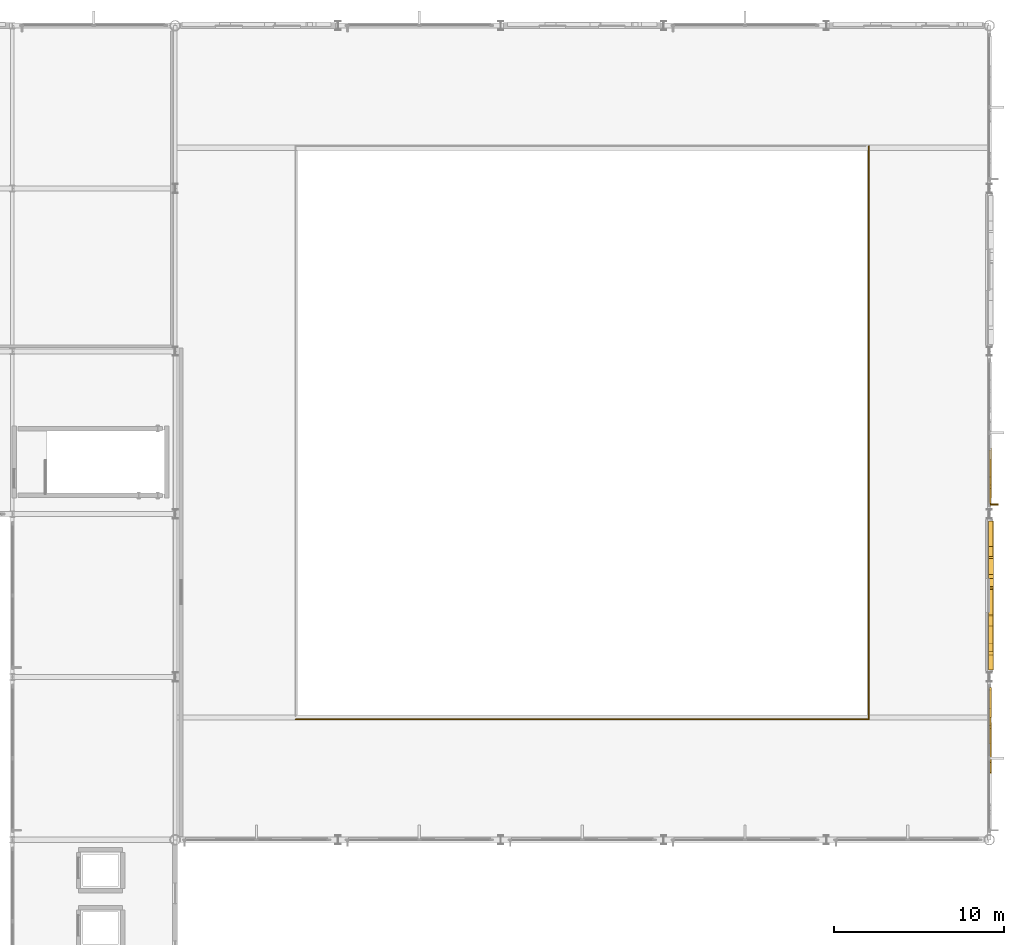
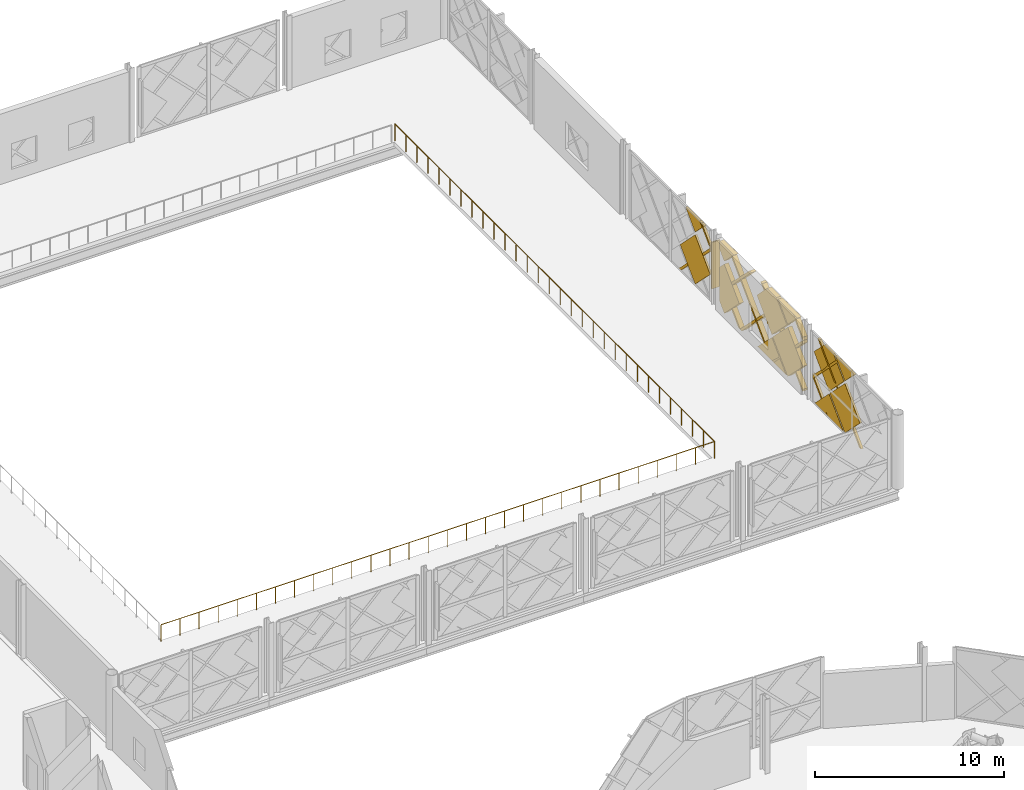
# One storey, part 75 of 77: 24 coverings, 1 railing, 1 shading device.
"""IFC4 building model written with IfcOpenShell, lengths in metres."""

from ifc_helpers import new_model, si_unit, direction, frame, origin, origin_2d, place, context, subcontext, project, spatial, polyline, rectangle, circle, outline, extrude, material, layer, layer_set, type_object, element, save


model = new_model("IFC4")

# Units and contexts
model_context = context("Model", 3, precision=1e-05, world=origin(), true_north=direction((0.0, 1.0)))
body_context = subcontext(model_context, "Body", "Model", "MODEL_VIEW")
ifc_project = project(units=[si_unit("LENGTHUNIT", "METRE"), si_unit("AREAUNIT", "SQUARE_METRE"), si_unit("VOLUMEUNIT", "CUBIC_METRE"), si_unit("PLANEANGLEUNIT", "RADIAN"), si_unit("MASSUNIT", "GRAM", prefix="KILO")], contexts=[model_context])

# Site, building, storey
site_placement = place(None, origin())
site = spatial("IfcSite", under=ifc_project, at=site_placement, CompositionType="ELEMENT")
building_placement = place(site_placement, origin())
building = spatial("IfcBuilding", under=site, at=building_placement, Name="Zevrakil Square Congress Hotel", CompositionType="ELEMENT")
storey_placement = place(building_placement, frame((0.0, 0.0, 9.89990234375)))
storey = spatial("IfcBuildingStorey", under=building, at=storey_placement, Name="L03", CompositionType="ELEMENT", Elevation=9.89990234375)

# Coverings
ifc_material_1 = material(Name="Architectural White Fibre-C GRC", Category="concrete")
ifc_layer_1 = layer(ifc_material_1, 0.06494140625)
ifc_layer_set_1 = layer_set([ifc_layer_1], Name="Architectural White Fibre-C GRC")
covering_type_1 = type_object("IfcCoveringType", Name="COV-DIA-WHITE", PredefinedType="CLADDING", material=ifc_layer_set_1)
covering_1_placement = place(storey_placement, frame((165.694091796875, 72.0400390625, 1.590087890625), z_axis=(0.999999790873, 0.0, 0.000646725815), x_axis=(0.000457304257, 0.707106707249, -0.707106707249)))
element("IfcCovering", 1, at=covering_1_placement, inside=storey, type_object=covering_type_1, Name="L03 45-degree white GRC diamond facade cassette 895", PredefinedType="CLADDING", context=body_context, shape_type="SweptSolid", body=[
    extrude(outline(polyline([(0.0, 0.0), (2.1354765131557993, 0.0), (4.465861884739297e-07, -2.1354765131557527), (0.0, 0.0)])), origin(), (0.0, 0.0, -1.0), 0.1201171875),
])
covering_2_placement = place(storey_placement, frame((165.693115234375, 70.360107421875, 3.27001953125), z_axis=(0.999999855586, 0.0, 0.000537427945), x_axis=(0.00038001898, 0.707106715531, -0.707106744725)))
element("IfcCovering", 2, at=covering_2_placement, inside=storey, type_object=covering_type_1, Name="L03 45-degree white GRC diamond facade cassette 896", PredefinedType="CLADDING", context=body_context, shape_type="SweptSolid", body=[
    extrude(outline(polyline([(0.0, 0.0), (2.2483788020672284, 0.0), (2.248551760297992, -2.2485513427396766), (-0.00017221594923522154, -2.2485514355747194), (0.0, 0.0)])), origin(), (0.0, 0.0, -1.0), 0.1201171875),
])
covering_3_placement = place(storey_placement, frame((165.693115234375, 73.6298828125, 3.360107421875), z_axis=(0.99999984427, 0.0, 0.000558085713), x_axis=(0.000394656509, -0.707052454844, -0.707160993229)))
element("IfcCovering", 3, at=covering_3_placement, inside=storey, type_object=covering_type_1, Name="L03 45-degree white GRC diamond facade cassette 898", PredefinedType="CLADDING", context=body_context, shape_type="SweptSolid", body=[
    extrude(outline(polyline([(0.0, 0.0), (2.248551347367504, 0.0), (2.24837847274146, -2.2487239675782313), (0.692605284023527, -2.2486046114861047), (-0.00029231210577995714, -1.5556005419383874), (0.0, 0.0)])), origin(), (0.0, 0.0, -1.0), 0.1201171875),
])
covering_4_placement = place(storey_placement, frame((165.69287109375, 70.360107421875, 3.4501953125), z_axis=(0.999999883142, 0.0, 0.000483442051), x_axis=(-0.000341845173, -0.707106739871, 0.707106739871)))
element("IfcCovering", 4, at=covering_4_placement, inside=storey, type_object=covering_type_1, Name="L03 45-degree white GRC diamond facade cassette 899", PredefinedType="CLADDING", context=body_context, shape_type="SweptSolid", body=[
    extrude(outline(polyline([(0.0, 0.0), (1.4283695921344428, 0.0), (1.6691658821788025e-07, -1.4283695921344328), (0.0, 0.0)])), origin(), (0.0, 0.0, -1.0), 0.1201171875),
])
covering_5_placement = place(storey_placement, frame((165.8291015625, 78.06005859375, 1.590087890625), z_axis=(0.999999790873, 0.0, 0.000646725815), x_axis=(0.000457304257, 0.707106707249, -0.707106707249)))
element("IfcCovering", 5, at=covering_5_placement, inside=storey, type_object=covering_type_1, Name="L03 45-degree white GRC diamond facade cassette 927", PredefinedType="CLADDING", context=body_context, shape_type="SweptSolid", body=[
    extrude(outline(polyline([(0.0, 0.0), (2.1354765131557993, 0.0), (4.465861884739297e-07, -2.1354765131557527), (0.0, 0.0)])), origin(), (0.0, 0.0, -1.0), 0.27001953125),
])
covering_6_placement = place(storey_placement, frame((165.827880859375, 76.3798828125, 3.27001953125), z_axis=(0.999999812555, 4.83356e-07, 0.000612282237), x_axis=(0.000432573931, 0.707160967572, -0.707052458325)))
element("IfcCovering", 6, at=covering_6_placement, inside=storey, type_object=covering_type_1, Name="L03 45-degree white GRC diamond facade cassette 928", PredefinedType="CLADDING", context=body_context, shape_type="SweptSolid", body=[
    extrude(outline(polyline([(0.0, 0.0), (2.2485515510922585, 2.220446049250313e-16), (2.2483793286792206, -2.248723959955051), (0.013983960233167725, -2.2483799880880655), (-0.00017089855165197676, -2.234222959656834), (0.0, 0.0)])), origin(), (0.0, 0.0, -1.0), 0.27001953125),
])
covering_7_placement = place(storey_placement, frame((165.829833984375, 83.10009765625, 0.090087890625), z_axis=(0.999999815916, 1.5809711e-05, 0.000606562844), x_axis=(-0.000417725569, -0.707106748129, 0.707106690858)))
element("IfcCovering", 7, at=covering_7_placement, inside=storey, type_object=covering_type_1, Name="L03 45-degree white GRC diamond facade cassette 929", PredefinedType="CLADDING", context=body_context, shape_type="SweptSolid", body=[
    extrude(outline(polyline([(0.0, 0.0), (2.248723970043293, 2.220446049250313e-16), (2.2485517554272336, -2.2485515462893146), (1.5414448319663019, -2.2485514327597276), (7.334840868011838e-08, -0.7071068201548574), (0.0, 0.0)])), origin(), (0.0, 0.0, -1.0), 0.27001953125),
])
covering_8_placement = place(storey_placement, frame((165.827880859375, 79.64990234375, 3.360107421875), z_axis=(0.999999857823, 0.0, 0.000533248084), x_axis=(0.00037709232, -0.707052425148, -0.707161032505)))
element("IfcCovering", 8, at=covering_8_placement, inside=storey, type_object=covering_type_1, Name="L03 45-degree white GRC diamond facade cassette 930", PredefinedType="CLADDING", context=body_context, shape_type="SweptSolid", body=[
    extrude(outline(polyline([(0.0, 0.0), (2.24855144180638, 4.440892098500626e-16), (2.2483783783098494, -2.2487240619953295), (0.6926052839813287, -2.2486045462010775), (-0.00029228304636674807, -1.5556004475562208), (0.0, 0.0)])), origin(), (0.0, 0.0, -1.0), 0.27001953125),
])
covering_9_placement = place(storey_placement, frame((165.827880859375, 76.3798828125, 3.4501953125), z_axis=(0.999999883142, 0.0, 0.000483442051), x_axis=(-0.000341886491, -0.707021263073, 0.707192206318)))
element("IfcCovering", 9, at=covering_9_placement, inside=storey, type_object=covering_type_1, Name="L03 45-degree white GRC diamond facade cassette 931", PredefinedType="CLADDING", context=body_context, shape_type="SweptSolid", body=[
    extrude(outline(polyline([(0.0, 0.0), (1.428196969086578, -2.220446049250313e-16), (0.0001728212840086396, -1.4283695816794468), (0.0, 0.0)])), origin(), (0.0, 0.0, -1.0), 0.27001953125),
])
covering_10_placement = place(storey_placement, frame((165.827880859375, 83.10009765625, 3.4501953125), z_axis=(0.999999883469, 1.372816e-06, 0.000482762446), x_axis=(-0.000340393892, -0.70710673987, 0.707106740572)))
element("IfcCovering", 10, at=covering_10_placement, inside=storey, type_object=covering_type_1, Name="L03 45-degree white GRC diamond facade cassette 932", PredefinedType="CLADDING", context=body_context, shape_type="SweptSolid", body=[
    extrude(outline(polyline([(0.0, 0.0), (1.4283695921329382, 1.1102230246251565e-16), (0.3606315095904147, -1.067738207318154), (8.3455285626588e-08, -0.7071068233303512), (0.0, 0.0)])), origin(), (0.0, 0.0, -1.0), 0.27001953125),
])
covering_11_placement = place(storey_placement, frame((165.693115234375, 86.199951171875, 3.27001953125), z_axis=(0.999999856488, 2.41678e-07, 0.000535746981), x_axis=(0.000378630367, 0.70716100192, -0.707052454916)))
element("IfcCovering", 11, at=covering_11_placement, inside=storey, type_object=covering_type_1, Name="L03 45-degree white GRC diamond facade cassette 961", PredefinedType="CLADDING", context=body_context, shape_type="SweptSolid", body=[
    extrude(outline(polyline([(0.0, 0.0), (2.2485514420015917, 0.0), (2.2483791200415766, -2.248723969767764), (0.013983742226420182, -2.248379879845779), (-0.00017111649015499886, -2.2342228501026002), (0.0, 0.0)])), origin(), (0.0, 0.0, -1.0), 0.1201171875),
])
covering_12_placement = place(storey_placement, frame((165.69287109375, 86.199951171875, 3.4501953125), z_axis=(0.999999883142, 0.0, 0.000483442051), x_axis=(-0.000341845173, -0.707106739871, 0.707106739871)))
element("IfcCovering", 12, at=covering_12_placement, inside=storey, type_object=covering_type_1, Name="L03 45-degree white GRC diamond facade cassette 964", PredefinedType="CLADDING", context=body_context, shape_type="SweptSolid", body=[
    extrude(outline(polyline([(0.0, 0.0), (1.4283695921344428, 0.0), (1.6691658821788025e-07, -1.4283695921344328), (0.0, 0.0)])), origin(), (0.0, 0.0, -1.0), 0.1201171875),
])
ifc_material_2 = material(Name="Anodised Champagne Aluminium", Category="aluminium")
ifc_layer_2 = layer(ifc_material_2, 0.0849609375)
ifc_layer_set_2 = layer_set([ifc_layer_2], Name="Anodised Champagne Aluminium")
covering_type_2 = type_object("IfcCoveringType", Name="COV-DIAGRID-45", PredefinedType="MOLDING", material=ifc_layer_set_2)
covering_13_placement = place(storey_placement, frame((165.719970703125, 68.8662109375, 0.080078125), z_axis=(0.999999812042, 0.0, 0.00061312067), x_axis=(0.0, -1.0, 0.0)))
element("IfcCovering", 13, at=covering_13_placement, inside=storey, type_object=covering_type_2, Name="L03 45-degree aluminium diagrid rib 902", PredefinedType="MOLDING", context=body_context, shape_type="SweptSolid", body=[
    extrude(outline(polyline([(0.0, 0.0), (0.21240234375, 0.0), (-4.167724609375, -4.380127776407226), (-4.3798828125, -4.380127776407226), (0.0, 0.0)])), origin(), (0.0, 0.0, -1.0), 0.14501953125),
])
covering_14_placement = place(storey_placement, frame((165.719970703125, 72.22607421875, 0.080078125), z_axis=(0.999999913482, 0.000294139249, 0.000294139249), x_axis=(0.000294139237, -0.999999956741, 8.6518e-08)))
element("IfcCovering", 14, at=covering_14_placement, inside=storey, type_object=covering_type_2, Name="L03 45-degree aluminium diagrid rib 903", PredefinedType="MOLDING", context=body_context, shape_type="SweptSolid", body=[
    extrude(outline(polyline([(0.0, 0.0), (0.2121581939472589, 0.0), (-1.553955145347468, -1.7661134920951609), (-1.5539551637029505, -1.5539552981479028), (0.0, 0.0)])), origin(), (0.0, 0.0, -1.0), 0.14501953125),
])
covering_15_placement = place(storey_placement, frame((165.71728515625, 70.833984375, 4.460205078125), z_axis=(0.999999909474, -0.000301047678, 0.000300701646), x_axis=(0.000301047664, 0.999999954685, 9.0526e-08)))
element("IfcCovering", 15, at=covering_15_placement, inside=storey, type_object=covering_type_2, Name="L03 45-degree aluminium diagrid rib 906", PredefinedType="MOLDING", context=body_context, shape_type="SweptSolid", body=[
    extrude(outline(polyline([(0.0, 0.0), (0.21215819351108217, 0.0), (2.9460450553746, -2.7338871090433825), (2.9460450361467636, -2.9462894431905147), (0.0, 0.0)])), origin(), (0.0, 0.0, -1.0), 0.14501953125),
])
covering_16_placement = place(storey_placement, frame((165.85302734375, 74.800048828125, 3.35400390625), z_axis=(0.999999575856, -0.000270268333, 0.000880479165), x_axis=(-0.000880479217, -7.3045e-08, 0.999999612378)))
element("IfcCovering", 16, at=covering_16_placement, inside=storey, type_object=covering_type_2, Name="L03 45-degree aluminium diagrid rib 933", PredefinedType="MOLDING", context=body_context, shape_type="SweptSolid", body=[
    extrude(outline(polyline([(0.0, 0.0), (0.21215833584857974, 0.0), (1.1062013226819656, -0.8937989415711564), (1.1062013071848853, -1.1059571369476104), (0.0, 0.0)])), origin(), (0.0, 0.0, -1.0), 0.294921875),
])
covering_17_placement = place(storey_placement, frame((165.85498046875, 74.885986328125, 0.080078125), z_axis=(0.999999888701, 0.000183960933, 0.000434460926), x_axis=(0.000183960915, -0.999999983079, 7.9924e-08)))
element("IfcCovering", 17, at=covering_17_placement, inside=storey, type_object=covering_type_2, Name="L03 45-degree aluminium diagrid rib 934", PredefinedType="MOLDING", context=body_context, shape_type="SweptSolid", body=[
    extrude(outline(polyline([(0.0, 0.0), (0.08593749854586766, 1.137373342260413e-24), (0.08593750863391077, -0.12622069121252277), (-4.167968823433683, -4.380127706501899), (-4.380127022968794, -4.380127706501899), (0.0, 0.0)])), origin(), (0.0, 0.0, -1.0), 0.294921875),
])
covering_18_placement = place(storey_placement, frame((165.85498046875, 78.24609375, 0.080078125), z_axis=(0.999999812042, 0.0, 0.00061312067), x_axis=(0.0, -1.0, 0.0)))
element("IfcCovering", 18, at=covering_18_placement, inside=storey, type_object=covering_type_2, Name="L03 45-degree aluminium diagrid rib 935", PredefinedType="MOLDING", context=body_context, shape_type="SweptSolid", body=[
    extrude(outline(polyline([(0.0, 0.0), (0.212158203125, 0.0), (-4.167724609375, -4.380127776407226), (-4.380126953125, -4.380127776407226), (0.0, 0.0)])), origin(), (0.0, 0.0, -1.0), 0.294921875),
])
covering_19_placement = place(storey_placement, frame((165.85498046875, 81.606201171875, 0.080078125), z_axis=(0.999999566894, -0.000255507765, 0.000894945697), x_axis=(-0.000255507663, -0.999999967358, -2.28666e-07)))
element("IfcCovering", 19, at=covering_19_placement, inside=storey, type_object=covering_type_2, Name="L03 45-degree aluminium diagrid rib 936", PredefinedType="MOLDING", context=body_context, shape_type="SweptSolid", body=[
    extrude(outline(polyline([(0.0, 0.0), (0.2124023368167394, 0.0), (-1.9938965494599896, -2.2060551150101544), (-1.9938965633265109, -1.9938967783542696), (0.0, 0.0)])), origin(), (0.0, 0.0, -1.0), 0.294921875),
])
covering_20_placement = place(storey_placement, frame((165.85302734375, 74.800048828125, 3.154052734375), z_axis=(0.999999905692, -0.000306919207, 0.000307272394), x_axis=(-0.00030727238, 9.4308e-08, 0.999999952792)))
element("IfcCovering", 20, at=covering_20_placement, inside=storey, type_object=covering_type_2, Name="L03 45-degree aluminium diagrid rib 937", PredefinedType="MOLDING", context=body_context, shape_type="SweptSolid", body=[
    extrude(outline(polyline([(0.0, 0.0), (0.21215819310940093, 2.8078904387053947e-24), (-3.0739747544917018, -3.286133257175718), (-3.0739747745229002, -3.073730923429806), (0.0, 0.0)])), origin(), (0.0, 0.0, -1.0), 0.294921875),
])
covering_21_placement = place(storey_placement, frame((165.852294921875, 76.85400390625, 4.460205078125), z_axis=(0.999999812042, 0.0, 0.00061312067), x_axis=(0.0, 1.0, 0.0)))
element("IfcCovering", 21, at=covering_21_placement, inside=storey, type_object=covering_type_2, Name="L03 45-degree aluminium diagrid rib 938", PredefinedType="MOLDING", context=body_context, shape_type="SweptSolid", body=[
    extrude(outline(polyline([(0.0, 0.0), (0.212158203125, 0.0), (4.592041015625, -4.380127776407226), (4.3798828125, -4.380127776407226), (0.0, 0.0)])), origin(), (0.0, 0.0, -1.0), 0.294921875),
])
covering_22_placement = place(storey_placement, frame((165.852294921875, 80.2138671875, 4.460205078125), z_axis=(0.999999568883, 0.000259047731, 0.00089169976), x_axis=(-0.000259047628, 0.999999966447, -2.30993e-07)))
element("IfcCovering", 22, at=covering_22_placement, inside=storey, type_object=covering_type_2, Name="L03 45-degree aluminium diagrid rib 939", PredefinedType="MOLDING", context=body_context, shape_type="SweptSolid", body=[
    extrude(outline(polyline([(0.0, 0.0), (0.21215819600648467, 0.0), (3.3862305823677334, -3.1740727453282176), (3.386230568130703, -3.386231081806826), (0.0, 0.0)])), origin(), (0.0, 0.0, -1.0), 0.294921875),
])
covering_23_placement = place(storey_placement, frame((165.718017578125, 84.6201171875, 3.35400390625), z_axis=(0.99999986589, 0.000366210888, 0.000366210888), x_axis=(-0.000366210864, -1.3411e-07, 0.999999932945)))
element("IfcCovering", 23, at=covering_23_placement, inside=storey, type_object=covering_type_2, Name="L03 45-degree aluminium diagrid rib 966", PredefinedType="MOLDING", context=body_context, shape_type="SweptSolid", body=[
    extrude(outline(polyline([(0.0, 0.0), (0.21215818889868723, 0.0), (1.1062012460515567, -0.8937990364120078), (1.10620121759893, -1.105957225310693), (0.0, 0.0)])), origin(), (0.0, 0.0, -1.0), 0.14501953125),
])
covering_24_placement = place(storey_placement, frame((165.718017578125, 84.6201171875, 3.154052734375), z_axis=(0.999999905689, -0.000307101698, 0.000307101698), x_axis=(-0.000307101684, 9.4311e-08, 0.999999952844)))
element("IfcCovering", 24, at=covering_24_placement, inside=storey, type_object=covering_type_2, Name="L03 45-degree aluminium diagrid rib 970", PredefinedType="MOLDING", context=body_context, shape_type="SweptSolid", body=[
    extrude(outline(polyline([(0.0, 0.0), (0.21215819312052556, 2.8078904387053947e-24), (-3.073974754330517, -3.285889116734547), (-3.073974774339466, -3.0737309236140224), (0.0, 0.0)])), origin(), (0.0, 0.0, -1.0), 0.14501953125),
])

# Railing
ifc_material_3 = material(Name="Steel S355", Category="steel")
railing_type = type_object("IfcRailingType", Name="RLG-TERR-1100", PredefinedType="BALUSTRADE", material=ifc_material_3)
railing_placement = place(storey_placement, frame((124.699951171875, 71.89990234375, 0.0)))
element("IfcRailing", 25, at=railing_placement, inside=storey, type_object=railing_type, Name="L03 terrace and void safety balustrade guard 43", PredefinedType="BALUSTRADE", context=body_context, shape_type="SweptSolid", body=[
    extrude(circle(Radius=0.02392578125, at=origin_2d()), frame((0.0, 0.0, 1.076171875), z_axis=(1.0, 0.0, 0.0), x_axis=(0.0, 1.0, 0.0)), (0.0, 0.0, 1.0), 33.800048828125),
    extrude(circle(Radius=0.02392578125, at=origin_2d()), frame((33.800048828125, 0.0, 1.076171875), z_axis=(0.0, 1.0, 0.0), x_axis=(-1.0, 0.0, 0.0)), (0.0, 0.0, 1.0), 33.800048828125),
    extrude(circle(Radius=0.02099609375, at=origin_2d()), origin(), (0.0, 0.0, 1.0), 1.052001953125),
    extrude(circle(Radius=0.02099609375, at=origin_2d()), frame((1.16552734375, 0.0, 0.0)), (0.0, 0.0, 1.0), 1.052001953125),
    extrude(circle(Radius=0.02099609375, at=origin_2d()), frame((2.3310546875, 0.0, 0.0)), (0.0, 0.0, 1.0), 1.052001953125),
    extrude(circle(Radius=0.02099609375, at=origin_2d()), frame((3.49658203125, 0.0, 0.0)), (0.0, 0.0, 1.0), 1.052001953125),
    extrude(circle(Radius=0.02099609375, at=origin_2d()), frame((4.662109375, 0.0, 0.0)), (0.0, 0.0, 1.0), 1.052001953125),
    extrude(circle(Radius=0.02099609375, at=origin_2d()), frame((5.82763671875, 0.0, 0.0)), (0.0, 0.0, 1.0), 1.052001953125),
    extrude(circle(Radius=0.02099609375, at=origin_2d()), frame((6.9931640625, 0.0, 0.0)), (0.0, 0.0, 1.0), 1.052001953125),
    extrude(circle(Radius=0.02099609375, at=origin_2d()), frame((8.15869140625, 0.0, 0.0)), (0.0, 0.0, 1.0), 1.052001953125),
    extrude(circle(Radius=0.02099609375, at=origin_2d()), frame((9.32421875, 0.0, 0.0)), (0.0, 0.0, 1.0), 1.052001953125),
    extrude(circle(Radius=0.02099609375, at=origin_2d()), frame((10.48974609375, 0.0, 0.0)), (0.0, 0.0, 1.0), 1.052001953125),
    extrude(circle(Radius=0.02099609375, at=origin_2d()), frame((11.6552734375, 0.0, 0.0)), (0.0, 0.0, 1.0), 1.052001953125),
    extrude(circle(Radius=0.02099609375, at=origin_2d()), frame((12.82080078125, 0.0, 0.0)), (0.0, 0.0, 1.0), 1.052001953125),
    extrude(circle(Radius=0.02099609375, at=origin_2d()), frame((13.986328125, 0.0, 0.0)), (0.0, 0.0, 1.0), 1.052001953125),
    extrude(circle(Radius=0.02099609375, at=origin_2d()), frame((15.15185546875, 0.0, 0.0)), (0.0, 0.0, 1.0), 1.052001953125),
    extrude(circle(Radius=0.02099609375, at=origin_2d()), frame((16.3173828125, 0.0, 0.0)), (0.0, 0.0, 1.0), 1.052001953125),
    extrude(circle(Radius=0.02099609375, at=origin_2d()), frame((17.482666015625, 0.0, 0.0)), (0.0, 0.0, 1.0), 1.052001953125),
    extrude(circle(Radius=0.02099609375, at=origin_2d()), frame((18.648193359375, 0.0, 0.0)), (0.0, 0.0, 1.0), 1.052001953125),
    extrude(circle(Radius=0.02099609375, at=origin_2d()), frame((19.813720703125, 0.0, 0.0)), (0.0, 0.0, 1.0), 1.052001953125),
    extrude(circle(Radius=0.02099609375, at=origin_2d()), frame((20.979248046875, 0.0, 0.0)), (0.0, 0.0, 1.0), 1.052001953125),
    extrude(circle(Radius=0.02099609375, at=origin_2d()), frame((22.144775390625, 0.0, 0.0)), (0.0, 0.0, 1.0), 1.052001953125),
    extrude(circle(Radius=0.02099609375, at=origin_2d()), frame((23.310302734375, 0.0, 0.0)), (0.0, 0.0, 1.0), 1.052001953125),
    extrude(circle(Radius=0.02099609375, at=origin_2d()), frame((24.475830078125, 0.0, 0.0)), (0.0, 0.0, 1.0), 1.052001953125),
    extrude(circle(Radius=0.02099609375, at=origin_2d()), frame((25.641357421875, 0.0, 0.0)), (0.0, 0.0, 1.0), 1.052001953125),
    extrude(circle(Radius=0.02099609375, at=origin_2d()), frame((26.806884765625, 0.0, 0.0)), (0.0, 0.0, 1.0), 1.052001953125),
    extrude(circle(Radius=0.02099609375, at=origin_2d()), frame((27.972412109375, 0.0, 0.0)), (0.0, 0.0, 1.0), 1.052001953125),
    extrude(circle(Radius=0.02099609375, at=origin_2d()), frame((29.137939453125, 0.0, 0.0)), (0.0, 0.0, 1.0), 1.052001953125),
    extrude(circle(Radius=0.02099609375, at=origin_2d()), frame((30.303466796875, 0.0, 0.0)), (0.0, 0.0, 1.0), 1.052001953125),
    extrude(circle(Radius=0.02099609375, at=origin_2d()), frame((31.468994140625, 0.0, 0.0)), (0.0, 0.0, 1.0), 1.052001953125),
    extrude(circle(Radius=0.02099609375, at=origin_2d()), frame((32.634521484375, 0.0, 0.0)), (0.0, 0.0, 1.0), 1.052001953125),
    extrude(circle(Radius=0.02099609375, at=origin_2d()), frame((33.800048828125, 0.0, 0.0)), (0.0, 0.0, 1.0), 1.052001953125),
    extrude(circle(Radius=0.02099609375, at=origin_2d()), frame((33.800048828125, 1.16552734375, 0.0)), (0.0, 0.0, 1.0), 1.052001953125),
    extrude(circle(Radius=0.02099609375, at=origin_2d()), frame((33.800048828125, 2.3310546875, 0.0)), (0.0, 0.0, 1.0), 1.052001953125),
    extrude(circle(Radius=0.02099609375, at=origin_2d()), frame((33.800048828125, 3.49658203125, 0.0)), (0.0, 0.0, 1.0), 1.052001953125),
    extrude(circle(Radius=0.02099609375, at=origin_2d()), frame((33.800048828125, 4.662109375, 0.0)), (0.0, 0.0, 1.0), 1.052001953125),
    extrude(circle(Radius=0.02099609375, at=origin_2d()), frame((33.800048828125, 5.82763671875, 0.0)), (0.0, 0.0, 1.0), 1.052001953125),
    extrude(circle(Radius=0.02099609375, at=origin_2d()), frame((33.800048828125, 6.9931640625, 0.0)), (0.0, 0.0, 1.0), 1.052001953125),
    extrude(circle(Radius=0.02099609375, at=origin_2d()), frame((33.800048828125, 8.15869140625, 0.0)), (0.0, 0.0, 1.0), 1.052001953125),
    extrude(circle(Radius=0.02099609375, at=origin_2d()), frame((33.800048828125, 9.32421875, 0.0)), (0.0, 0.0, 1.0), 1.052001953125),
    extrude(circle(Radius=0.02099609375, at=origin_2d()), frame((33.800048828125, 10.48974609375, 0.0)), (0.0, 0.0, 1.0), 1.052001953125),
    extrude(circle(Radius=0.02099609375, at=origin_2d()), frame((33.800048828125, 11.6552734375, 0.0)), (0.0, 0.0, 1.0), 1.052001953125),
    extrude(circle(Radius=0.02099609375, at=origin_2d()), frame((33.800048828125, 12.82080078125, 0.0)), (0.0, 0.0, 1.0), 1.052001953125),
    extrude(circle(Radius=0.02099609375, at=origin_2d()), frame((33.800048828125, 13.986328125, 0.0)), (0.0, 0.0, 1.0), 1.052001953125),
    extrude(circle(Radius=0.02099609375, at=origin_2d()), frame((33.800048828125, 15.15185546875, 0.0)), (0.0, 0.0, 1.0), 1.052001953125),
    extrude(circle(Radius=0.02099609375, at=origin_2d()), frame((33.800048828125, 16.3173828125, 0.0)), (0.0, 0.0, 1.0), 1.052001953125),
    extrude(circle(Radius=0.02099609375, at=origin_2d()), frame((33.800048828125, 17.482666015625, 0.0)), (0.0, 0.0, 1.0), 1.052001953125),
    extrude(circle(Radius=0.02099609375, at=origin_2d()), frame((33.800048828125, 18.648193359375, 0.0)), (0.0, 0.0, 1.0), 1.052001953125),
    extrude(circle(Radius=0.02099609375, at=origin_2d()), frame((33.800048828125, 19.813720703125, 0.0)), (0.0, 0.0, 1.0), 1.052001953125),
    extrude(circle(Radius=0.02099609375, at=origin_2d()), frame((33.800048828125, 20.979248046875, 0.0)), (0.0, 0.0, 1.0), 1.052001953125),
    extrude(circle(Radius=0.02099609375, at=origin_2d()), frame((33.800048828125, 22.144775390625, 0.0)), (0.0, 0.0, 1.0), 1.052001953125),
    extrude(circle(Radius=0.02099609375, at=origin_2d()), frame((33.800048828125, 23.310302734375, 0.0)), (0.0, 0.0, 1.0), 1.052001953125),
    extrude(circle(Radius=0.02099609375, at=origin_2d()), frame((33.800048828125, 24.475830078125, 0.0)), (0.0, 0.0, 1.0), 1.052001953125),
    extrude(circle(Radius=0.02099609375, at=origin_2d()), frame((33.800048828125, 25.641357421875, 0.0)), (0.0, 0.0, 1.0), 1.052001953125),
    extrude(circle(Radius=0.02099609375, at=origin_2d()), frame((33.800048828125, 26.806884765625, 0.0)), (0.0, 0.0, 1.0), 1.052001953125),
    extrude(circle(Radius=0.02099609375, at=origin_2d()), frame((33.800048828125, 27.972412109375, 0.0)), (0.0, 0.0, 1.0), 1.052001953125),
    extrude(circle(Radius=0.02099609375, at=origin_2d()), frame((33.800048828125, 29.137939453125, 0.0)), (0.0, 0.0, 1.0), 1.052001953125),
    extrude(circle(Radius=0.02099609375, at=origin_2d()), frame((33.800048828125, 30.303466796875, 0.0)), (0.0, 0.0, 1.0), 1.052001953125),
    extrude(circle(Radius=0.02099609375, at=origin_2d()), frame((33.800048828125, 31.468994140625, 0.0)), (0.0, 0.0, 1.0), 1.052001953125),
    extrude(circle(Radius=0.02099609375, at=origin_2d()), frame((33.800048828125, 32.634521484375, 0.0)), (0.0, 0.0, 1.0), 1.052001953125),
    extrude(circle(Radius=0.02099609375, at=origin_2d()), frame((33.800048828125, 33.800048828125, 0.0)), (0.0, 0.0, 1.0), 1.052001953125),
])

# Shading device
ifc_material_4 = material(Name="Aluminium Anodised Bronze", Category="aluminium")
shading_device_type = type_object("IfcShadingDeviceType", Name="SHD-FIN-50", PredefinedType="JALOUSIE", material=ifc_material_4)
shading_device_placement = place(storey_placement, frame((165.8701171875, 84.56005859375, 0.77001953125), z_axis=(0.0, 0.0, 1.0), x_axis=(1.0, 0.0, 0.0)))
element("IfcShadingDevice", 26, at=shading_device_placement, inside=storey, type_object=shading_device_type, Name="L03 aluminium solar shading fin 54", PredefinedType="JALOUSIE", context=body_context, shape_type="SweptSolid", body=[
    extrude(rectangle(XDim=0.5, YDim=0.080078125, at=origin_2d()), origin(), (0.0, 0.0, 1.0), 3.0),
])

save(model, "model.ifc")
